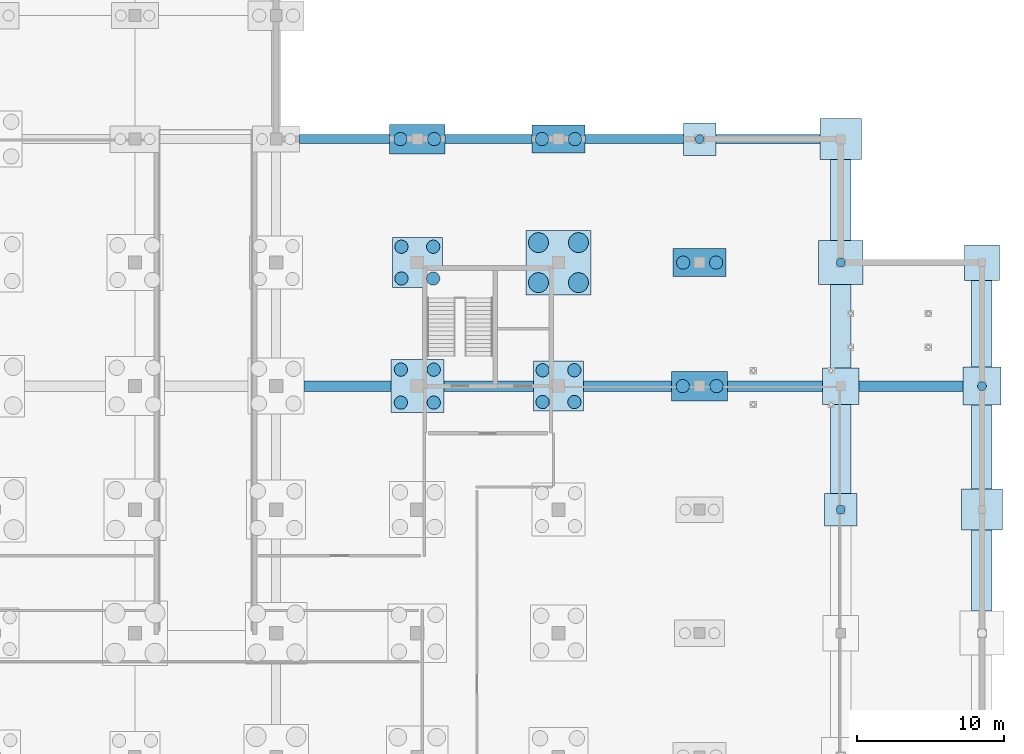
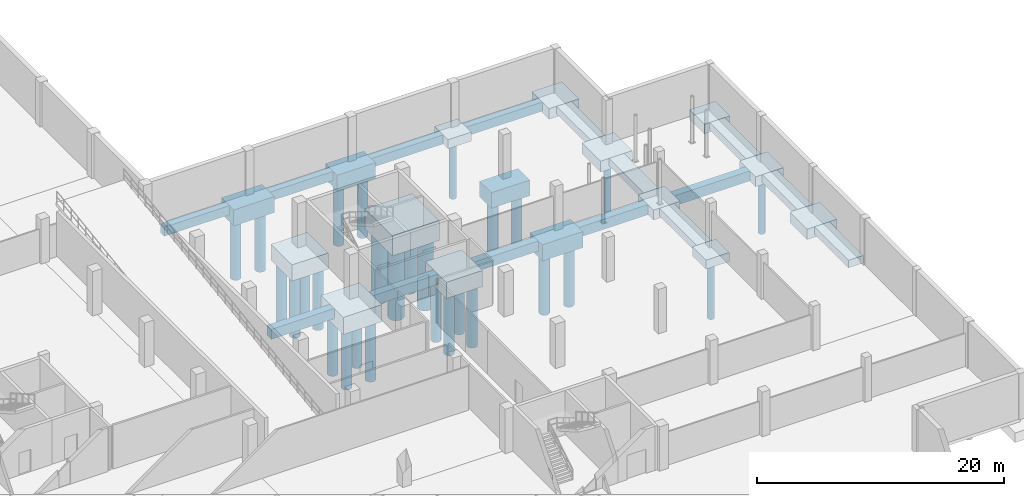
# One storey, part 10 of 26: 31 footings, 28 piles.
"""IFC4 building model written with IfcOpenShell, lengths in metres."""

import ifcopenshell
import ifcopenshell.guid

model = None  # the IFC model being written
_history = None  # IfcOwnerHistory: only IFC2X3 demands one
_inside = {}  # id of a spatial element -> (the spatial element, [elements in it])
_under = {}  # id of a project, library or spatial element -> (it, [spatial elements below it])
_declared = {}  # id of a project -> (the project, [libraries it declares])
_typed = {}  # id of a type object -> (the type object, [elements of that type])
_made_of = {}  # id of a material, layer set ... -> (it, [elements and type objects made of it])


def new_model(schema):
    """Start an empty IFC model of exactly this schema.

    Asked for "IFC4X3", IfcOpenShell would pick the latest addendum, in which some entities
    have other attributes; the version numbers below select the first issue.
    IFC2X3 requires an IfcOwnerHistory on every rooted entity: one is made here for all.
    """
    global model, _history
    if schema == "IFC4X3":
        model = ifcopenshell.file(schema_version=(4, 3, 0, 0))
    else:
        model = ifcopenshell.file(schema=schema)
    _inside.clear()
    _under.clear()
    _declared.clear()
    _typed.clear()
    _made_of.clear()
    _history = None
    if model.schema == "IFC2X3":
        org = make("IfcOrganization", Name="unknown")
        user = make(
            "IfcPersonAndOrganization",
            ThePerson=make("IfcPerson", FamilyName="unknown"),
            TheOrganization=org,
        )
        app = make(
            "IfcApplication",
            ApplicationDeveloper=org,
            Version="unknown",
            ApplicationFullName="unknown",
            ApplicationIdentifier="unknown",
        )
        _history = make(
            "IfcOwnerHistory",
            OwningUser=user,
            OwningApplication=app,
            ChangeAction="ADDED",
            CreationDate=0,
        )
    return model


def make(cls, **values):
    """One entity of the class cls with the attributes given. An attribute that is None is left unset."""
    return model.create_entity(
        cls, **{name: value for name, value in values.items() if value is not None}
    )


def rooted(cls, **values):
    """An entity with a GlobalId (a new one), such as an element, a storey or a relation."""
    return make(cls, GlobalId=ifcopenshell.guid.new(), OwnerHistory=_history, **values)


def si_unit(unit_type, name, prefix=None):
    """IfcSIUnit, for example si_unit("LENGTHUNIT", "METRE", prefix="MILLI")."""
    return make("IfcSIUnit", UnitType=unit_type, Prefix=prefix, Name=name)


def assignment(units):
    """IfcUnitAssignment: the units of a project."""
    return None if units is None else make("IfcUnitAssignment", Units=units)


def point(xyz):
    """IfcCartesianPoint."""
    return None if xyz is None else make("IfcCartesianPoint", Coordinates=xyz)


def direction(xyz):
    """IfcDirection."""
    return None if xyz is None else make("IfcDirection", DirectionRatios=xyz)


def frame(location, z_axis=None, x_axis=None):
    """IfcAxis2Placement3D, a coordinate frame: its origin and axes. An axis left out is left unset."""
    return make(
        "IfcAxis2Placement3D",
        Location=point(location),
        Axis=direction(z_axis),
        RefDirection=direction(x_axis),
    )


def frame_2d(location, x_axis=None):
    """IfcAxis2Placement2D, a coordinate frame in the plane: its origin and x axis."""
    return make(
        "IfcAxis2Placement2D", Location=point(location), RefDirection=direction(x_axis)
    )


def origin():
    """The frame at (0, 0, 0) with its axes left unset."""
    return frame((0.0, 0.0, 0.0))


def origin_2d():
    """The frame at (0, 0) in the plane with its x axis left unset."""
    return frame_2d((0.0, 0.0))


def place(relative_to, where):
    """IfcLocalPlacement: puts the frame where relative to a parent placement (None: the world)."""
    return make(
        "IfcLocalPlacement", PlacementRelTo=relative_to, RelativePlacement=where
    )


def context(
    kind, dimensions, precision=None, world=None, true_north=None, identifier=None
):
    """IfcGeometricRepresentationContext, for example the 3D "Model" context."""
    return make(
        "IfcGeometricRepresentationContext",
        ContextIdentifier=identifier,
        ContextType=kind,
        CoordinateSpaceDimension=dimensions,
        Precision=precision,
        WorldCoordinateSystem=world,
        TrueNorth=true_north,
    )


def subcontext(parent, identifier, kind, view, scale=None):
    """IfcGeometricRepresentationSubContext, for example "Body" below "Model"."""
    return make(
        "IfcGeometricRepresentationSubContext",
        ContextIdentifier=identifier,
        ContextType=kind,
        ParentContext=parent,
        TargetScale=scale,
        TargetView=view,
    )


def project(units=None, contexts=None):
    """IfcProject with its units and contexts."""
    return rooted(
        "IfcProject",
        Name="project",
        RepresentationContexts=contexts,
        UnitsInContext=assignment(units),
    )


def spatial(cls, under=None, at=None, **own):
    """A site, building, storey or space (cls), placed at a placement, below another one or the project."""
    s = rooted(cls, ObjectPlacement=at, **own)
    if under is not None:
        _under.setdefault(under.id(), (under, []))[1].append(s)
    return s


def profile(cls, at=None, kind="AREA", **sizes):
    """A parametric profile (cls). Its sizes go by their IFC names, for example OverallWidth=200.0."""
    return make(cls, ProfileType=kind, Position=at, **sizes)


def rectangle(**sizes):
    """IfcRectangleProfileDef."""
    return profile("IfcRectangleProfileDef", **sizes)


def circle(**sizes):
    """IfcCircleProfileDef."""
    return profile("IfcCircleProfileDef", **sizes)


def extrude(swept, where, along, depth):
    """IfcExtrudedAreaSolid: the profile swept, set in the frame where, extruded along a direction by depth."""
    return make(
        "IfcExtrudedAreaSolid",
        SweptArea=swept,
        Position=where,
        ExtrudedDirection=direction(along),
        Depth=depth,
    )


def shape(context_of_items, identifier, shape_type, items):
    """IfcShapeRepresentation: the items that make up one representation, for example the "Body"."""
    return make(
        "IfcShapeRepresentation",
        ContextOfItems=context_of_items,
        RepresentationIdentifier=identifier,
        RepresentationType=shape_type,
        Items=items,
    )


def material(Name=None, Category=None):
    """IfcMaterial."""
    return make("IfcMaterial", Name=Name, Category=Category)


def layer(
    of_material, thickness, ventilated=None, Name=None, Category=None, Priority=None
):
    """IfcMaterialLayer: one layer of a wall or slab, of a material (None: an air gap)."""
    return make(
        "IfcMaterialLayer",
        Material=of_material,
        LayerThickness=thickness,
        IsVentilated=ventilated,
        Name=Name,
        Category=Category,
        Priority=Priority,
    )


def layer_set(layers, Name=None):
    """IfcMaterialLayerSet."""
    return make("IfcMaterialLayerSet", MaterialLayers=layers, LayerSetName=Name)


def material_profile(
    of_material, cross_section, Name=None, Category=None, Priority=None
):
    """IfcMaterialProfile: a cross section and its material."""
    return make(
        "IfcMaterialProfile",
        Name=Name,
        Material=of_material,
        Profile=cross_section,
        Priority=Priority,
        Category=Category,
    )


def profile_set(profiles, Name=None, composite=None):
    """IfcMaterialProfileSet."""
    return make(
        "IfcMaterialProfileSet",
        Name=Name,
        MaterialProfiles=profiles,
        CompositeProfile=composite,
    )


def made_of(thing, what):
    """Note that an element or type object is made of a material, layer set ...; save() writes the relation."""
    if what is not None:
        _made_of.setdefault(what.id(), (what, []))[1].append(thing)
    return thing


def type_object(cls, material=None, **own):
    """A type object (cls), such as IfcWallType, which elements share."""
    return made_of(rooted(cls, **own), material)


def element(
    cls,
    number,
    at=None,
    inside=None,
    cuts=None,
    type_object=None,
    material=None,
    context=None,
    identifier="Body",
    shape_type=None,
    held_by="IfcProductDefinitionShape",
    body=None,
    shapes=None,
    **own,
):
    """One element of the class cls, such as IfcWall. Its Tag is "e" and its number.

    at: its placement. inside: the storey or other place that contains it. cuts: it is an
    opening in that element (IfcRelVoidsElement). A single representation is given by context,
    identifier, shape_type and body (its items); several are given by shapes. held_by: the class
    of the entity that holds the representations. save() writes the other relations.
    """
    e = rooted(cls, Tag="e%d" % number, ObjectPlacement=at, **own)
    if body is not None:
        shapes = [shape(context, identifier, shape_type, body)]
    if shapes is not None:
        e.Representation = make(held_by, Representations=shapes)
    if inside is not None:
        _inside.setdefault(inside.id(), (inside, []))[1].append(e)
    if cuts is not None:
        rooted(
            "IfcRelVoidsElement", RelatingBuildingElement=cuts, RelatedOpeningElement=e
        )
    if type_object is not None:
        _typed.setdefault(type_object.id(), (type_object, []))[1].append(e)
    return made_of(e, material)


def aggregate(whole, parts):
    """IfcRelAggregates: a whole, such as a stair, and the parts it consists of."""
    return rooted("IfcRelAggregates", RelatingObject=whole, RelatedObjects=parts)


def save(model, path):
    """Write the relations noted so far, then the file.

    IfcRelAggregates (storeys below a building ...), IfcRelContainedInSpatialStructure (elements
    in a storey), IfcRelDefinesByType, IfcRelAssociatesMaterial and IfcRelDeclares: one each for
    every whole, place, type object, material and project.
    """
    for whole, parts in _under.values():
        aggregate(whole, parts)
    for where, things in _inside.values():
        rooted(
            "IfcRelContainedInSpatialStructure",
            RelatedElements=things,
            RelatingStructure=where,
        )
    for kind, things in _typed.values():
        rooted("IfcRelDefinesByType", RelatedObjects=things, RelatingType=kind)
    for what, things in _made_of.values():
        rooted("IfcRelAssociatesMaterial", RelatedObjects=things, RelatingMaterial=what)
    for by, libraries in _declared.values():
        rooted("IfcRelDeclares", RelatingContext=by, RelatedDefinitions=libraries)
    model.write(path)


model = new_model("IFC4")

# Units and contexts
model_context = context("Model", 3, precision=1e-05, world=origin(), true_north=direction((0.0, 1.0)))
body_context = subcontext(model_context, "Body", "Model", "MODEL_VIEW")
ifc_project = project(units=[si_unit("LENGTHUNIT", "METRE"), si_unit("AREAUNIT", "SQUARE_METRE"), si_unit("VOLUMEUNIT", "CUBIC_METRE"), si_unit("PLANEANGLEUNIT", "RADIAN"), si_unit("MASSUNIT", "GRAM", prefix="KILO")], contexts=[model_context])

# Site, building, storey
site_placement = place(None, origin())
site = spatial("IfcSite", under=ifc_project, at=site_placement, CompositionType="ELEMENT")
building_placement = place(site_placement, origin())
building = spatial("IfcBuilding", under=site, at=building_placement, Name="Lornevale Opera House", CompositionType="ELEMENT")
storey_placement = place(building_placement, frame((0.0, 0.0, -9.60009765625)))
storey = spatial("IfcBuildingStorey", under=building, at=storey_placement, Name="B2", CompositionType="ELEMENT", Elevation=-9.60009765625)

# Footings
ifc_material_1 = material(Name="Concrete 35 MPa (CSA A23.1 N)", Category="concrete")
ifc_layer_1 = layer(ifc_material_1, 1.0)
ifc_layer_set_1 = layer_set([ifc_layer_1], Name="Concrete 35 MPa (CSA A23.1 N)")
footing_type_1 = type_object("IfcFootingType", Name="Canopy Mast Pad 2500x2500x1000", PredefinedType="PAD_FOOTING", material=ifc_layer_set_1)
footing_1_placement = place(storey_placement, frame((163.199951171875, 67.199951171875, -1.4599609375), z_axis=(0.0, 0.0, 1.0), x_axis=(1.0, 0.0, 0.0)))
element("IfcFooting", 1, at=footing_1_placement, inside=storey, type_object=footing_type_1, Name="Canopy Mast Pad 2500x2500x1000 FT-239", PredefinedType="PAD_FOOTING", context=body_context, shape_type="SweptSolid", body=[
    extrude(rectangle(XDim=2.5, YDim=2.5, at=origin_2d()), origin(), (0.0, 0.0, 1.0), 1.0),
])
ifc_layer_2 = layer(ifc_material_1, 1.60009765625)
ifc_layer_set_2 = layer_set([ifc_layer_2], Name="Concrete 35 MPa (CSA A23.1 N)")
footing_type_2 = type_object("IfcFootingType", Name="Four-Caisson Cap 3400x3400x1600", PredefinedType="PILE_CAP", material=ifc_layer_set_2)
for number, where, z_axis, x_axis, name in (
    (2, (134.39990234375, 75.60009765625, -2.06005859375), (0.0, 0.0, 1.0), (1.0, 0.0, 0.0), "Four-Caisson Cap 3400x3400x1600 FT-211"),
    (3, (144.0, 67.199951171875, -2.06005859375), (0.0, 0.0, 1.0), (1.0, 0.0, 0.0), "Four-Caisson Cap 3400x3400x1600 FT-220"),
):
    element("IfcFooting", number, at=place(storey_placement, frame(where, z_axis=z_axis, x_axis=x_axis)), inside=storey, type_object=footing_type_2, Name=name, PredefinedType="PILE_CAP", context=body_context, shape_type="SweptSolid", body=[
        extrude(rectangle(XDim=3.39990234375, YDim=3.39990234375, at=origin_2d()), origin(), (0.0, 0.0, 1.0), 1.60009765625),
    ])
ifc_layer_3 = layer(ifc_material_1, 1.699951171875)
ifc_layer_set_3 = layer_set([ifc_layer_3], Name="Concrete 35 MPa (CSA A23.1 N)")
footing_type_3 = type_object("IfcFootingType", Name="Four-Caisson Cap 3600x3600x1700", PredefinedType="PILE_CAP", material=ifc_layer_set_3)
footing_2_placement = place(storey_placement, frame((134.39990234375, 67.199951171875, -2.15966796875), z_axis=(0.0, 0.0, 1.0), x_axis=(1.0, 0.0, 0.0)))
element("IfcFooting", 4, at=footing_2_placement, inside=storey, type_object=footing_type_3, Name="Four-Caisson Cap 3600x3600x1700 FT-210", PredefinedType="PILE_CAP", context=body_context, shape_type="SweptSolid", body=[
    extrude(rectangle(XDim=3.60009765625, YDim=3.60009765625, at=origin_2d()), origin(), (0.0, 0.0, 1.0), 1.699951171875),
])
ifc_layer_4 = layer(ifc_material_1, 2.0)
ifc_layer_set_4 = layer_set([ifc_layer_4], Name="Concrete 35 MPa (CSA A23.1 N)")
footing_type_4 = type_object("IfcFootingType", Name="Four-Caisson Cap 4400x4400x2000", PredefinedType="PILE_CAP", material=ifc_layer_set_4)
footing_3_placement = place(storey_placement, frame((144.0, 75.60009765625, -2.4599609375), z_axis=(0.0, 0.0, 1.0), x_axis=(1.0, 0.0, 0.0)))
element("IfcFooting", 5, at=footing_3_placement, inside=storey, type_object=footing_type_4, Name="Four-Caisson Cap 4400x4400x2000 FT-221", PredefinedType="PILE_CAP", context=body_context, shape_type="SweptSolid", body=[
    extrude(rectangle(XDim=4.39990234375, YDim=4.39990234375, at=origin_2d()), origin(), (0.0, 0.0, 1.0), 2.0),
])
ifc_layer_5 = layer(ifc_material_1, 0.89990234375)
ifc_layer_set_5 = layer_set([ifc_layer_5], Name="Concrete 35 MPa (CSA A23.1 N)")
footing_type_5 = type_object("IfcFootingType", Name="Grade Tie Beam EW 600x900", PredefinedType="FOOTING_BEAM", material=ifc_layer_set_5)
footing_4_placement = place(storey_placement, frame((129.449951171875, 84.0, -1.35986328125), z_axis=(0.0, 0.0, 1.0), x_axis=(1.0, 0.0, 0.0)))
element("IfcFooting", 6, at=footing_4_placement, inside=storey, type_object=footing_type_5, Name="Grade Tie Beam EW 600x900 FT-312", PredefinedType="FOOTING_BEAM", context=body_context, shape_type="SweptSolid", body=[
    extrude(rectangle(XDim=6.10009765625, YDim=0.60009765625, at=origin_2d()), origin(), (0.0, 0.0, 1.0), 0.89990234375),
])
footing_5_placement = place(storey_placement, frame((139.25, 84.0, -1.35986328125), z_axis=(0.0, 0.0, 1.0), x_axis=(1.0, 0.0, 0.0)))
element("IfcFooting", 7, at=footing_5_placement, inside=storey, type_object=footing_type_5, Name="Grade Tie Beam EW 600x900 FT-315", PredefinedType="FOOTING_BEAM", context=body_context, shape_type="SweptSolid", body=[
    extrude(rectangle(XDim=5.89990234375, YDim=0.60009765625, at=origin_2d()), origin(), (0.0, 0.0, 1.0), 0.89990234375),
])
footing_6_placement = place(storey_placement, frame((149.14990234375, 84.0, -1.35986328125), z_axis=(0.0, 0.0, 1.0), x_axis=(1.0, 0.0, 0.0)))
element("IfcFooting", 8, at=footing_6_placement, inside=storey, type_object=footing_type_5, Name="Grade Tie Beam EW 600x900 FT-318", PredefinedType="FOOTING_BEAM", context=body_context, shape_type="SweptSolid", body=[
    extrude(rectangle(XDim=6.699951171875, YDim=0.60009765625, at=origin_2d()), origin(), (0.0, 0.0, 1.0), 0.89990234375),
])
footing_7_placement = place(storey_placement, frame((158.25, 84.0, -1.35986328125), z_axis=(0.0, 0.0, 1.0), x_axis=(1.0, 0.0, 0.0)))
element("IfcFooting", 9, at=footing_7_placement, inside=storey, type_object=footing_type_5, Name="Grade Tie Beam EW 600x900 FT-321", PredefinedType="FOOTING_BEAM", context=body_context, shape_type="SweptSolid", body=[
    extrude(rectangle(XDim=7.10009765625, YDim=0.60009765625, at=origin_2d()), origin(), (0.0, 0.0, 1.0), 0.89990234375),
])
ifc_layer_6 = layer(ifc_material_1, 1.0)
ifc_layer_set_6 = layer_set([ifc_layer_6], Name="Concrete 35 MPa (CSA A23.1 N)")
footing_type_6 = type_object("IfcFootingType", Name="Grade Tie Beam EW 700x1000", PredefinedType="FOOTING_BEAM", material=ifc_layer_set_6)
footing_8_placement = place(storey_placement, frame((129.64990234375, 67.199951171875, -1.4599609375), z_axis=(0.0, 0.0, 1.0), x_axis=(1.0, 0.0, 0.0)))
element("IfcFooting", 10, at=footing_8_placement, inside=storey, type_object=footing_type_6, Name="Grade Tie Beam EW 700x1000 FT-311", PredefinedType="FOOTING_BEAM", context=body_context, shape_type="SweptSolid", body=[
    extrude(rectangle(XDim=5.89990234375, YDim=0.699951171875, at=origin_2d()), origin(), (0.0, 0.0, 1.0), 1.0),
])
footing_9_placement = place(storey_placement, frame((139.25, 67.199951171875, -1.4599609375), z_axis=(0.0, 0.0, 1.0), x_axis=(1.0, 0.0, 0.0)))
element("IfcFooting", 11, at=footing_9_placement, inside=storey, type_object=footing_type_6, Name="Grade Tie Beam EW 700x1000 FT-314", PredefinedType="FOOTING_BEAM", context=body_context, shape_type="SweptSolid", body=[
    extrude(rectangle(XDim=6.10009765625, YDim=0.699951171875, at=origin_2d()), origin(), (0.0, 0.0, 1.0), 1.0),
])
footing_10_placement = place(storey_placement, frame((148.699951171875, 67.199951171875, -1.4599609375), z_axis=(0.0, 0.0, 1.0), x_axis=(1.0, 0.0, 0.0)))
element("IfcFooting", 12, at=footing_10_placement, inside=storey, type_object=footing_type_6, Name="Grade Tie Beam EW 700x1000 FT-317", PredefinedType="FOOTING_BEAM", context=body_context, shape_type="SweptSolid", body=[
    extrude(rectangle(XDim=6.0, YDim=0.699951171875, at=origin_2d()), origin(), (0.0, 0.0, 1.0), 1.0),
])
footing_11_placement = place(storey_placement, frame((158.72509765625, 67.199951171875, -1.4599609375), z_axis=(0.0, 0.0, 1.0), x_axis=(1.0, 0.0, 0.0)))
element("IfcFooting", 13, at=footing_11_placement, inside=storey, type_object=footing_type_6, Name="Grade Tie Beam EW 700x1000 FT-320", PredefinedType="FOOTING_BEAM", context=body_context, shape_type="SweptSolid", body=[
    extrude(rectangle(XDim=6.449951171875, YDim=0.699951171875, at=origin_2d()), origin(), (0.0, 0.0, 1.0), 1.0),
])
footing_12_placement = place(storey_placement, frame((167.97509765625, 67.199951171875, -1.4599609375), z_axis=(0.0, 0.0, 1.0), x_axis=(1.0, 0.0, 0.0)))
element("IfcFooting", 14, at=footing_12_placement, inside=storey, type_object=footing_type_6, Name="Grade Tie Beam EW 700x1000 FT-323", PredefinedType="FOOTING_BEAM", context=body_context, shape_type="SweptSolid", body=[
    extrude(rectangle(XDim=7.050048828125, YDim=0.699951171875, at=origin_2d()), origin(), (0.0, 0.0, 1.0), 1.0),
])

# Piles
ifc_material_2 = material(Name="Concrete 40 MPa (CSA A23.1 C-1)", Category="concrete")
ifc_material_profile_1 = material_profile(ifc_material_2, circle(Radius=0.300048828125, at=origin_2d()), Name="CAIS600")
ifc_profile_set_1 = profile_set([ifc_material_profile_1], Name="Concrete 40 MPa (CSA A23.1 C-1)")
pile_type_1 = type_object("IfcPileType", Name="Micropile Caisson D600", PredefinedType="BORED", material=ifc_profile_set_1)
for number, where, z_axis, x_axis, name in (
    (15, (153.60009765625, 84.0, -1.239990234375), (0.0, 0.0, -1.0), (1.0, 0.0, 0.0), "Micropile Caisson D600 0529"),
    (16, (163.199951171875, 58.800048828125, -1.239990234375), (0.0, 0.0, -1.0), (1.0, 0.0, 0.0), "Micropile Caisson D600 0532"),
):
    element("IfcPile", number, at=place(storey_placement, frame(where, z_axis=z_axis, x_axis=x_axis)), inside=storey, type_object=pile_type_1, Name=name, PredefinedType="BORED", context=body_context, shape_type="SweptSolid", body=[
        extrude(circle(Radius=0.300048828125, at=origin_2d()), origin(), (0.0, 0.0, 1.0), 5.9599609375),
    ])
pile_1_placement = place(storey_placement, frame((163.199951171875, 75.60009765625, -1.43994140625), z_axis=(0.0, 0.0, -1.0), x_axis=(1.0, 0.0, 0.0)))
element("IfcPile", 17, at=pile_1_placement, inside=storey, type_object=pile_type_1, Name="Micropile Caisson D600 0533", PredefinedType="BORED", context=body_context, shape_type="SweptSolid", body=[
    extrude(circle(Radius=0.300048828125, at=origin_2d()), origin(), (0.0, 0.0, 1.0), 5.760009765625),
])
pile_2_placement = place(storey_placement, frame((172.800048828125, 67.199951171875, -1.33984375), z_axis=(0.0, 0.0, -1.0), x_axis=(1.0, 0.0, 0.0)))
element("IfcPile", 18, at=pile_2_placement, inside=storey, type_object=pile_type_1, Name="Micropile Caisson D600 0536", PredefinedType="BORED", context=body_context, shape_type="SweptSolid", body=[
    extrude(circle(Radius=0.300048828125, at=origin_2d()), origin(), (0.0, 0.0, 1.0), 5.860107421875),
])

# Footings
ifc_layer_7 = layer(ifc_material_1, 0.75)
ifc_layer_set_7 = layer_set([ifc_layer_7], Name="Concrete 35 MPa (CSA A23.1 N)")
footing_type_7 = type_object("IfcFootingType", Name="Perimeter Strip Footing NS 1400x750", PredefinedType="STRIP_FOOTING", material=ifc_layer_set_7)
footing_13_placement = place(storey_placement, frame((163.199951171875, 62.925048828125, -1.2099609375), z_axis=(0.0, 0.0, 1.0), x_axis=(1.0, 0.0, 0.0)))
element("IfcFooting", 19, at=footing_13_placement, inside=storey, type_object=footing_type_7, Name="Perimeter Strip Footing NS 1400x750 FT-397", PredefinedType="STRIP_FOOTING", context=body_context, shape_type="SweptSolid", body=[
    extrude(rectangle(XDim=1.39990234375, YDim=6.050048828125, at=origin_2d()), origin(), (0.0, 0.0, 1.0), 0.75),
])
footing_14_placement = place(storey_placement, frame((163.199951171875, 71.27490234375, -1.2099609375), z_axis=(0.0, 0.0, 1.0), x_axis=(1.0, 0.0, 0.0)))
element("IfcFooting", 20, at=footing_14_placement, inside=storey, type_object=footing_type_7, Name="Perimeter Strip Footing NS 1400x750 FT-398", PredefinedType="STRIP_FOOTING", context=body_context, shape_type="SweptSolid", body=[
    extrude(rectangle(XDim=1.39990234375, YDim=5.64990234375, at=origin_2d()), origin(), (0.0, 0.0, 1.0), 0.75),
])
for number, where, z_axis, x_axis, name in (
    (21, (163.199951171875, 79.85009765625, -1.2099609375), (0.0, 0.0, 1.0), (1.0, 0.0, 0.0), "Perimeter Strip Footing NS 1400x750 FT-399"),
    (22, (172.800048828125, 54.64990234375, -1.2099609375), (0.0, 0.0, 1.0), (1.0, 0.0, 0.0), "Perimeter Strip Footing NS 1400x750 FT-403"),
):
    element("IfcFooting", number, at=place(storey_placement, frame(where, z_axis=z_axis, x_axis=x_axis)), inside=storey, type_object=footing_type_7, Name=name, PredefinedType="STRIP_FOOTING", context=body_context, shape_type="SweptSolid", body=[
        extrude(rectangle(XDim=1.39990234375, YDim=5.5, at=origin_2d()), origin(), (0.0, 0.0, 1.0), 0.75),
    ])
footing_15_placement = place(storey_placement, frame((172.800048828125, 63.050048828125, -1.2099609375), z_axis=(0.0, 0.0, 1.0), x_axis=(1.0, 0.0, 0.0)))
element("IfcFooting", 23, at=footing_15_placement, inside=storey, type_object=footing_type_7, Name="Perimeter Strip Footing NS 1400x750 FT-404", PredefinedType="STRIP_FOOTING", context=body_context, shape_type="SweptSolid", body=[
    extrude(rectangle(XDim=1.39990234375, YDim=5.699951171875, at=origin_2d()), origin(), (0.0, 0.0, 1.0), 0.75),
])
footing_16_placement = place(storey_placement, frame((172.800048828125, 71.449951171875, -1.2099609375), z_axis=(0.0, 0.0, 1.0), x_axis=(1.0, 0.0, 0.0)))
element("IfcFooting", 24, at=footing_16_placement, inside=storey, type_object=footing_type_7, Name="Perimeter Strip Footing NS 1400x750 FT-405", PredefinedType="STRIP_FOOTING", context=body_context, shape_type="SweptSolid", body=[
    extrude(rectangle(XDim=1.39990234375, YDim=5.89990234375, at=origin_2d()), origin(), (0.0, 0.0, 1.0), 0.75),
])

# Piles
ifc_material_profile_2 = material_profile(ifc_material_2, circle(Radius=0.675048828125, at=origin_2d()), Name="CAIS1350")
ifc_profile_set_2 = profile_set([ifc_material_profile_2], Name="Concrete 40 MPa (CSA A23.1 C-1)")
pile_type_2 = type_object("IfcPileType", Name="Rock-Socketed Caisson D1350", PredefinedType="BORED", material=ifc_profile_set_2)
for number, where, z_axis, x_axis, name in (
    (25, (142.639892578125, 74.239990234375, -2.33984375), (0.0, 0.0, -1.0), (1.0, 0.0, 0.0), "Rock-Socketed Caisson D1350 0507"),
    (26, (145.360107421875, 74.239990234375, -2.33984375), (0.0, 0.0, -1.0), (1.0, 0.0, 0.0), "Rock-Socketed Caisson D1350 0508"),
    (27, (142.639892578125, 76.9599609375, -2.33984375), (0.0, 0.0, -1.0), (1.0, 0.0, 0.0), "Rock-Socketed Caisson D1350 0509"),
    (28, (145.360107421875, 76.9599609375, -2.33984375), (0.0, 0.0, -1.0), (1.0, 0.0, 0.0), "Rock-Socketed Caisson D1350 0510"),
):
    element("IfcPile", number, at=place(storey_placement, frame(where, z_axis=z_axis, x_axis=x_axis)), inside=storey, type_object=pile_type_2, Name=name, PredefinedType="BORED", context=body_context, shape_type="SweptSolid", body=[
        extrude(circle(Radius=0.675048828125, at=origin_2d()), origin(), (0.0, 0.0, 1.0), 6.860107421875),
    ])
ifc_material_profile_3 = material_profile(ifc_material_2, circle(Radius=0.449951171875, at=origin_2d()), Name="CAIS900")
ifc_profile_set_3 = profile_set([ifc_material_profile_3], Name="Concrete 40 MPa (CSA A23.1 C-1)")
pile_type_3 = type_object("IfcPileType", Name="Rock-Socketed Caisson D900", PredefinedType="BORED", material=ifc_profile_set_3)
for number, where, z_axis, x_axis, name in (
    (29, (133.280029296875, 66.080078125, -2.039794921875), (0.0, 0.0, -1.0), (1.0, 0.0, 0.0), "Rock-Socketed Caisson D900 0469"),
    (30, (135.52001953125, 66.080078125, -2.039794921875), (0.0, 0.0, -1.0), (1.0, 0.0, 0.0), "Rock-Socketed Caisson D900 0470"),
    (31, (133.280029296875, 68.320068359375, -2.039794921875), (0.0, 0.0, -1.0), (1.0, 0.0, 0.0), "Rock-Socketed Caisson D900 0471"),
    (32, (135.52001953125, 68.320068359375, -2.039794921875), (0.0, 0.0, -1.0), (1.0, 0.0, 0.0), "Rock-Socketed Caisson D900 0472"),
):
    element("IfcPile", number, at=place(storey_placement, frame(where, z_axis=z_axis, x_axis=x_axis)), inside=storey, type_object=pile_type_3, Name=name, PredefinedType="BORED", context=body_context, shape_type="SweptSolid", body=[
        extrude(circle(Radius=0.449951171875, at=origin_2d()), origin(), (0.0, 0.0, 1.0), 5.9599609375),
    ])
for number, where, z_axis, x_axis, name in (
    (33, (133.320068359375, 74.52001953125, -1.93994140625), (0.0, 0.0, -1.0), (1.0, 0.0, 0.0), "Rock-Socketed Caisson D900 0473"),
    (34, (135.47998046875, 74.52001953125, -1.93994140625), (0.0, 0.0, -1.0), (1.0, 0.0, 0.0), "Rock-Socketed Caisson D900 0474"),
    (35, (133.320068359375, 76.679931640625, -1.93994140625), (0.0, 0.0, -1.0), (1.0, 0.0, 0.0), "Rock-Socketed Caisson D900 0475"),
    (36, (135.47998046875, 76.679931640625, -1.93994140625), (0.0, 0.0, -1.0), (1.0, 0.0, 0.0), "Rock-Socketed Caisson D900 0476"),
    (37, (133.25, 84.0, -1.93994140625), (0.0, 0.0, -1.0), (1.0, 0.0, 0.0), "Rock-Socketed Caisson D900 0477"),
    (38, (135.550048828125, 84.0, -1.93994140625), (0.0, 0.0, -1.0), (1.0, 0.0, 0.0), "Rock-Socketed Caisson D900 0478"),
    (39, (142.919921875, 66.1201171875, -1.93994140625), (0.0, 0.0, -1.0), (1.0, 0.0, 0.0), "Rock-Socketed Caisson D900 0503"),
    (40, (145.080078125, 66.1201171875, -1.93994140625), (0.0, 0.0, -1.0), (1.0, 0.0, 0.0), "Rock-Socketed Caisson D900 0504"),
    (41, (142.919921875, 68.280029296875, -1.93994140625), (0.0, 0.0, -1.0), (1.0, 0.0, 0.0), "Rock-Socketed Caisson D900 0505"),
    (42, (145.080078125, 68.280029296875, -1.93994140625), (0.0, 0.0, -1.0), (1.0, 0.0, 0.0), "Rock-Socketed Caisson D900 0506"),
):
    element("IfcPile", number, at=place(storey_placement, frame(where, z_axis=z_axis, x_axis=x_axis)), inside=storey, type_object=pile_type_3, Name=name, PredefinedType="BORED", context=body_context, shape_type="SweptSolid", body=[
        extrude(circle(Radius=0.449951171875, at=origin_2d()), origin(), (0.0, 0.0, 1.0), 6.06005859375),
    ])
for number, where, z_axis, x_axis, name in (
    (43, (142.8798828125, 84.0, -1.889892578125), (0.0, 0.0, -1.0), (1.0, 0.0, 0.0), "Rock-Socketed Caisson D900 0511"),
    (44, (145.1201171875, 84.0, -1.889892578125), (0.0, 0.0, -1.0), (1.0, 0.0, 0.0), "Rock-Socketed Caisson D900 0512"),
):
    element("IfcPile", number, at=place(storey_placement, frame(where, z_axis=z_axis, x_axis=x_axis)), inside=storey, type_object=pile_type_3, Name=name, PredefinedType="BORED", context=body_context, shape_type="SweptSolid", body=[
        extrude(circle(Radius=0.449951171875, at=origin_2d()), origin(), (0.0, 0.0, 1.0), 6.110107421875),
    ])
for number, where, z_axis, x_axis, name in (
    (45, (152.449951171875, 67.199951171875, -1.93994140625), (0.0, 0.0, -1.0), (1.0, 0.0, 0.0), "Rock-Socketed Caisson D900 0525"),
    (46, (154.75, 67.199951171875, -1.93994140625), (0.0, 0.0, -1.0), (1.0, 0.0, 0.0), "Rock-Socketed Caisson D900 0526"),
):
    element("IfcPile", number, at=place(storey_placement, frame(where, z_axis=z_axis, x_axis=x_axis)), inside=storey, type_object=pile_type_3, Name=name, PredefinedType="BORED", context=body_context, shape_type="SweptSolid", body=[
        extrude(circle(Radius=0.449951171875, at=origin_2d()), origin(), (0.0, 0.0, 1.0), 6.06005859375),
    ])
for number, where, z_axis, x_axis, name in (
    (47, (152.47998046875, 75.60009765625, -1.889892578125), (0.0, 0.0, -1.0), (1.0, 0.0, 0.0), "Rock-Socketed Caisson D900 0527"),
    (48, (154.719970703125, 75.60009765625, -1.889892578125), (0.0, 0.0, -1.0), (1.0, 0.0, 0.0), "Rock-Socketed Caisson D900 0528"),
):
    element("IfcPile", number, at=place(storey_placement, frame(where, z_axis=z_axis, x_axis=x_axis)), inside=storey, type_object=pile_type_3, Name=name, PredefinedType="BORED", context=body_context, shape_type="SweptSolid", body=[
        extrude(circle(Radius=0.449951171875, at=origin_2d()), origin(), (0.0, 0.0, 1.0), 6.110107421875),
    ])

# Footings
ifc_layer_8 = layer(ifc_material_1, 0.89990234375)
ifc_layer_set_8 = layer_set([ifc_layer_8], Name="Concrete 35 MPa (CSA A23.1 N)")
footing_type_8 = type_object("IfcFootingType", Name="Spread Pad Footing 2200x2200x900", PredefinedType="PAD_FOOTING", material=ifc_layer_set_8)
for number, where, z_axis, x_axis, name in (
    (49, (153.60009765625, 84.0, -1.35986328125), (0.0, 0.0, 1.0), (1.0, 0.0, 0.0), "Spread Pad Footing 2200x2200x900 FT-232"),
    (50, (163.199951171875, 58.800048828125, -1.35986328125), (0.0, 0.0, 1.0), (1.0, 0.0, 0.0), "Spread Pad Footing 2200x2200x900 FT-238"),
):
    element("IfcFooting", number, at=place(storey_placement, frame(where, z_axis=z_axis, x_axis=x_axis)), inside=storey, type_object=footing_type_8, Name=name, PredefinedType="PAD_FOOTING", context=body_context, shape_type="SweptSolid", body=[
        extrude(rectangle(XDim=2.199951171875, YDim=2.199951171875, at=origin_2d()), origin(), (0.0, 0.0, 1.0), 0.89990234375),
    ])
ifc_layer_9 = layer(ifc_material_1, 0.949951171875)
ifc_layer_set_9 = layer_set([ifc_layer_9], Name="Concrete 35 MPa (CSA A23.1 N)")
footing_type_9 = type_object("IfcFootingType", Name="Spread Pad Footing 2400x2400x950", PredefinedType="PAD_FOOTING", material=ifc_layer_set_9)
footing_17_placement = place(storey_placement, frame((172.800048828125, 75.60009765625, -1.40966796875), z_axis=(0.0, 0.0, 1.0), x_axis=(1.0, 0.0, 0.0)))
element("IfcFooting", 51, at=footing_17_placement, inside=storey, type_object=footing_type_9, Name="Spread Pad Footing 2400x2400x950 FT-248", PredefinedType="PAD_FOOTING", context=body_context, shape_type="SweptSolid", body=[
    extrude(rectangle(XDim=2.39990234375, YDim=2.39990234375, at=origin_2d()), origin(), (0.0, 0.0, 1.0), 0.949951171875),
])
ifc_layer_10 = layer(ifc_material_1, 1.0)
ifc_layer_set_10 = layer_set([ifc_layer_10], Name="Concrete 35 MPa (CSA A23.1 N)")
footing_type_10 = type_object("IfcFootingType", Name="Spread Pad Footing 2600x2600x1000", PredefinedType="PAD_FOOTING", material=ifc_layer_set_10)
footing_18_placement = place(storey_placement, frame((172.800048828125, 67.199951171875, -1.4599609375), z_axis=(0.0, 0.0, 1.0), x_axis=(1.0, 0.0, 0.0)))
element("IfcFooting", 52, at=footing_18_placement, inside=storey, type_object=footing_type_10, Name="Spread Pad Footing 2600x2600x1000 FT-247", PredefinedType="PAD_FOOTING", context=body_context, shape_type="SweptSolid", body=[
    extrude(rectangle(XDim=2.60009765625, YDim=2.60009765625, at=origin_2d()), origin(), (0.0, 0.0, 1.0), 1.0),
])
ifc_layer_11 = layer(ifc_material_1, 1.050048828125)
ifc_layer_set_11 = layer_set([ifc_layer_11], Name="Concrete 35 MPa (CSA A23.1 N)")
footing_type_11 = type_object("IfcFootingType", Name="Spread Pad Footing 2800x2800x1050", PredefinedType="PAD_FOOTING", material=ifc_layer_set_11)
for number, where, z_axis, x_axis, name in (
    (53, (163.199951171875, 84.0, -1.509765625), (0.0, 0.0, 1.0), (1.0, 0.0, 0.0), "Spread Pad Footing 2800x2800x1050 FT-241"),
    (54, (172.800048828125, 58.800048828125, -1.509765625), (0.0, 0.0, 1.0), (1.0, 0.0, 0.0), "Spread Pad Footing 2800x2800x1050 FT-246"),
):
    element("IfcFooting", number, at=place(storey_placement, frame(where, z_axis=z_axis, x_axis=x_axis)), inside=storey, type_object=footing_type_11, Name=name, PredefinedType="PAD_FOOTING", context=body_context, shape_type="SweptSolid", body=[
        extrude(rectangle(XDim=2.800048828125, YDim=2.800048828125, at=origin_2d()), origin(), (0.0, 0.0, 1.0), 1.050048828125),
    ])
ifc_layer_12 = layer(ifc_material_1, 1.10009765625)
ifc_layer_set_12 = layer_set([ifc_layer_12], Name="Concrete 35 MPa (CSA A23.1 N)")
footing_type_12 = type_object("IfcFootingType", Name="Spread Pad Footing 3000x3000x1100", PredefinedType="PAD_FOOTING", material=ifc_layer_set_12)
footing_19_placement = place(storey_placement, frame((163.199951171875, 75.60009765625, -1.56005859375), z_axis=(0.0, 0.0, 1.0), x_axis=(1.0, 0.0, 0.0)))
element("IfcFooting", 55, at=footing_19_placement, inside=storey, type_object=footing_type_12, Name="Spread Pad Footing 3000x3000x1100 FT-240", PredefinedType="PAD_FOOTING", context=body_context, shape_type="SweptSolid", body=[
    extrude(rectangle(XDim=3.0, YDim=3.0, at=origin_2d()), origin(), (0.0, 0.0, 1.0), 1.10009765625),
])
ifc_layer_13 = layer(ifc_material_1, 1.550048828125)
ifc_layer_set_13 = layer_set([ifc_layer_13], Name="Concrete 35 MPa (CSA A23.1 N)")
footing_type_13 = type_object("IfcFootingType", Name="Two-Caisson Cap 3600x1900x1550", PredefinedType="PILE_CAP", material=ifc_layer_set_13)
for number, where, z_axis, x_axis, name in (
    (56, (144.0, 84.0, -2.009765625), (0.0, 0.0, 1.0), (1.0, 0.0, 0.0), "Two-Caisson Cap 3600x1900x1550 FT-222"),
    (57, (153.60009765625, 75.60009765625, -2.009765625), (0.0, 0.0, 1.0), (1.0, 0.0, 0.0), "Two-Caisson Cap 3600x1900x1550 FT-231"),
):
    element("IfcFooting", number, at=place(storey_placement, frame(where, z_axis=z_axis, x_axis=x_axis)), inside=storey, type_object=footing_type_13, Name=name, PredefinedType="PILE_CAP", context=body_context, shape_type="SweptSolid", body=[
        extrude(rectangle(XDim=3.60009765625, YDim=1.89990234375, at=origin_2d()), origin(), (0.0, 0.0, 1.0), 1.550048828125),
    ])
ifc_layer_14 = layer(ifc_material_1, 1.60009765625)
ifc_layer_set_14 = layer_set([ifc_layer_14], Name="Concrete 35 MPa (CSA A23.1 N)")
footing_type_14 = type_object("IfcFootingType", Name="Two-Caisson Cap 3800x2000x1600", PredefinedType="PILE_CAP", material=ifc_layer_set_14)
for number, where, z_axis, x_axis, name in (
    (58, (134.39990234375, 84.0, -2.06005859375), (0.0, 0.0, 1.0), (1.0, 0.0, 0.0), "Two-Caisson Cap 3800x2000x1600 FT-212"),
    (59, (153.60009765625, 67.199951171875, -2.06005859375), (0.0, 0.0, 1.0), (1.0, 0.0, 0.0), "Two-Caisson Cap 3800x2000x1600 FT-230"),
):
    element("IfcFooting", number, at=place(storey_placement, frame(where, z_axis=z_axis, x_axis=x_axis)), inside=storey, type_object=footing_type_14, Name=name, PredefinedType="PILE_CAP", context=body_context, shape_type="SweptSolid", body=[
        extrude(rectangle(XDim=3.800048828125, YDim=2.0, at=origin_2d()), origin(), (0.0, 0.0, 1.0), 1.60009765625),
    ])

save(model, "model.ifc")
